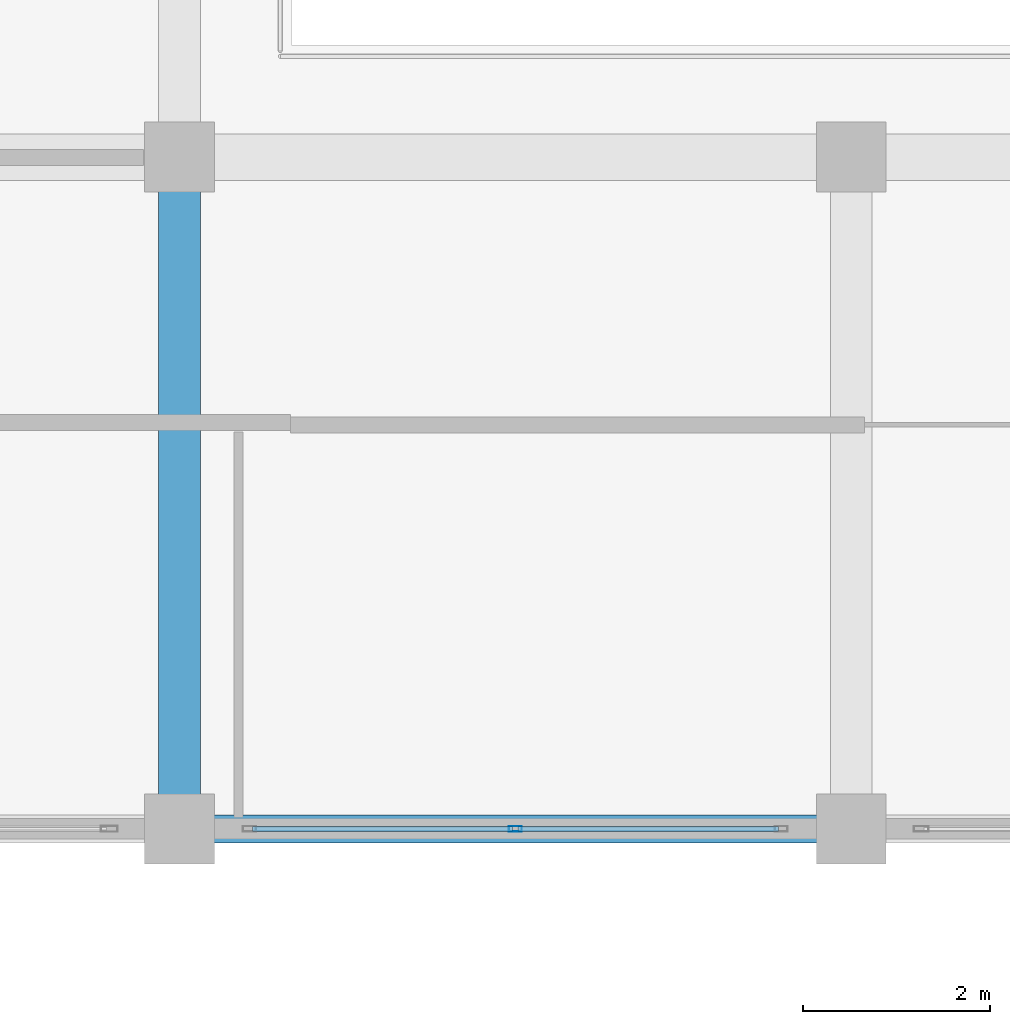
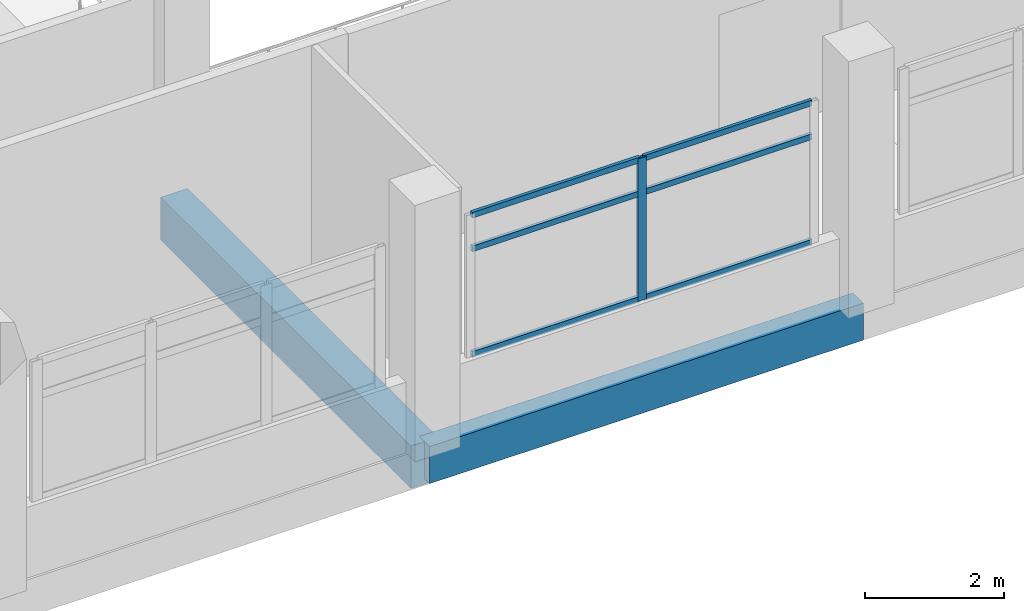
# One storey, part 10 of 141: 7 members, 2 beams, 1 element without a shape of its own.
"""IFC4 building model written with IfcOpenShell, lengths in metres."""

from ifc_helpers import new_model, si_unit, direction, frame, origin, origin_2d, place, context, subcontext, project, spatial, rectangle, hollow_rectangle, extrude, material, layer, layer_set, material_profile, profile_set, type_object, element, aggregate, save


model = new_model("IFC4")

# Units and contexts
model_context = context("Model", 3, precision=1e-05, world=origin(), true_north=direction((0.0, 1.0)))
body_context = subcontext(model_context, "Body", "Model", "MODEL_VIEW")
ifc_project = project(units=[si_unit("LENGTHUNIT", "METRE"), si_unit("AREAUNIT", "SQUARE_METRE"), si_unit("VOLUMEUNIT", "CUBIC_METRE"), si_unit("PLANEANGLEUNIT", "RADIAN"), si_unit("MASSUNIT", "GRAM", prefix="KILO")], contexts=[model_context])

# Site, building, storey
site_placement = place(None, origin())
site = spatial("IfcSite", under=ifc_project, at=site_placement, CompositionType="ELEMENT")
building_placement = place(site_placement, origin())
building = spatial("IfcBuilding", under=site, at=building_placement, Name="Seraya Terrace Polytechnic", CompositionType="ELEMENT")
storey_placement = place(building_placement, frame((0.0, 0.0, 14.39990234375)))
storey = spatial("IfcBuildingStorey", under=building, at=storey_placement, Name="L03", CompositionType="ELEMENT", Elevation=14.39990234375)

# Beam
ifc_material_1 = material(Name="Concrete C40/50", Category="concrete")
ifc_material_profile_1 = material_profile(ifc_material_1, rectangle(XDim=0.449951171875, YDim=0.75, at=origin_2d()), Name="RC 450x750")
ifc_profile_set_1 = profile_set([ifc_material_profile_1], Name="Concrete C40/50")
beam_type_1 = type_object("IfcBeamType", Name="BM-08", PredefinedType="BEAM", material=ifc_profile_set_1)
beam_1_placement = place(storey_placement, frame((57.60009765625, 0.0, -0.375), z_axis=(0.0, 1.0, 0.0), x_axis=(-1.0, 0.0, 0.0)))
element("IfcBeam", 1, at=beam_1_placement, inside=storey, type_object=beam_type_1, Name="Beam BM-08 L03 Y (57.6, 0.0..7.2)", PredefinedType="BEAM", context=body_context, shape_type="SweptSolid", body=[
    extrude(rectangle(XDim=0.449951171875, YDim=0.75, at=origin_2d()), origin(), (0.0, 0.0, 1.0), 7.199951171875),
])

# Curtain wall, members
ifc_material_2 = material(Name="Anodised aluminium EN AW-6063 T6", Category="aluminium")
ifc_layer = layer(ifc_material_2, 0.179931640625, Name="CW-33")
ifc_layer_set = layer_set([ifc_layer], Name="Anodised aluminium EN AW-6063 T6")
curtain_wall_type = type_object("IfcCurtainWallType", Name="CW-33", PredefinedType="NOTDEFINED", material=ifc_layer_set)
curtain_wall_placement = place(storey_placement, origin())
curtain_wall = element("IfcCurtainWall", 2, at=curtain_wall_placement, inside=storey, type_object=curtain_wall_type, Name="Unitised curtain wall CW-33 (CW-L03-105)", PredefinedType="NOTDEFINED")
ifc_material_profile_2 = material_profile(ifc_material_2, hollow_rectangle(XDim=0.06005859375, YDim=0.139892578125, WallThickness=0.00341796875, at=origin_2d()), Name="RHS 140x60x3.5")
ifc_profile_set_2 = profile_set([ifc_material_profile_2], Name="Anodised aluminium EN AW-6063 T6")
member_type_1 = type_object("IfcMemberType", Name="CWM-03", PredefinedType="MULLION", material=ifc_profile_set_2)
member_1_placement = place(storey_placement, frame((61.199951171875, 0.0, 1.239990234375), z_axis=(0.0, 0.0, 1.0), x_axis=(0.0, -1.0, 0.0)))
member_1 = element("IfcMember", 3, at=member_1_placement, type_object=member_type_1, Name="CW-33 mullion 2", PredefinedType="MULLION", context=body_context, shape_type="SweptSolid", body=[
    extrude(hollow_rectangle(XDim=0.06005859375, YDim=0.139892578125, WallThickness=0.00341796875, at=origin_2d()), origin(), (0.0, 0.0, 1.0), 2.5),
])
ifc_material_profile_3 = material_profile(ifc_material_2, hollow_rectangle(XDim=0.054931640625, YDim=0.10009765625, WallThickness=0.0029296875, at=origin_2d()), Name="RHS 100x55x3.0")
ifc_profile_set_3 = profile_set([ifc_material_profile_3], Name="Anodised aluminium EN AW-6063 T6")
member_type_2 = type_object("IfcMemberType", Name="CWT-03", PredefinedType="USERDEFINED", material=ifc_profile_set_3)
member_2_placement = place(storey_placement, frame((64.02001953125, 0.0, 1.267578125), z_axis=(-1.0, 0.0, 0.0), x_axis=(0.0, -1.0, 0.0)))
member_2 = element("IfcMember", 4, at=member_2_placement, type_object=member_type_2, Name="CW-33 transom 1.1", ObjectType="TRANSOM", PredefinedType="USERDEFINED", context=body_context, shape_type="SweptSolid", body=[
    extrude(hollow_rectangle(XDim=0.054931640625, YDim=0.10009765625, WallThickness=0.0029296875, at=origin_2d()), origin(), (0.0, 0.0, 1.0), 2.7900390625),
])
member_3_placement = place(storey_placement, frame((64.02001953125, 0.0, 3.1201171875), z_axis=(-1.0, 0.0, 0.0), x_axis=(0.0, -1.0, 0.0)))
member_3 = element("IfcMember", 5, at=member_3_placement, type_object=member_type_2, Name="CW-33 transom 1.2", ObjectType="TRANSOM", PredefinedType="USERDEFINED", context=body_context, shape_type="SweptSolid", body=[
    extrude(hollow_rectangle(XDim=0.054931640625, YDim=0.10009765625, WallThickness=0.0029296875, at=origin_2d()), origin(), (0.0, 0.0, 1.0), 2.7900390625),
])
member_4_placement = place(storey_placement, frame((64.02001953125, 0.0, 3.712646484375), z_axis=(-1.0, 0.0, 0.0), x_axis=(0.0, -1.0, 0.0)))
member_4 = element("IfcMember", 6, at=member_4_placement, type_object=member_type_2, Name="CW-33 transom 1.3", ObjectType="TRANSOM", PredefinedType="USERDEFINED", context=body_context, shape_type="SweptSolid", body=[
    extrude(hollow_rectangle(XDim=0.054931640625, YDim=0.10009765625, WallThickness=0.0029296875, at=origin_2d()), origin(), (0.0, 0.0, 1.0), 2.7900390625),
])
member_5_placement = place(storey_placement, frame((61.169921875, 0.0, 1.267578125), z_axis=(-1.0, 0.0, 0.0), x_axis=(0.0, -1.0, 0.0)))
member_5 = element("IfcMember", 7, at=member_5_placement, type_object=member_type_2, Name="CW-33 transom 2.1", ObjectType="TRANSOM", PredefinedType="USERDEFINED", context=body_context, shape_type="SweptSolid", body=[
    extrude(hollow_rectangle(XDim=0.054931640625, YDim=0.10009765625, WallThickness=0.0029296875, at=origin_2d()), origin(), (0.0, 0.0, 1.0), 2.7900390625),
])
member_6_placement = place(storey_placement, frame((61.169921875, 0.0, 3.1201171875), z_axis=(-1.0, 0.0, 0.0), x_axis=(0.0, -1.0, 0.0)))
member_6 = element("IfcMember", 8, at=member_6_placement, type_object=member_type_2, Name="CW-33 transom 2.2", ObjectType="TRANSOM", PredefinedType="USERDEFINED", context=body_context, shape_type="SweptSolid", body=[
    extrude(hollow_rectangle(XDim=0.054931640625, YDim=0.10009765625, WallThickness=0.0029296875, at=origin_2d()), origin(), (0.0, 0.0, 1.0), 2.7900390625),
])
member_7_placement = place(storey_placement, frame((61.169921875, 0.0, 3.712646484375), z_axis=(-1.0, 0.0, 0.0), x_axis=(0.0, -1.0, 0.0)))
member_7 = element("IfcMember", 9, at=member_7_placement, type_object=member_type_2, Name="CW-33 transom 2.3", ObjectType="TRANSOM", PredefinedType="USERDEFINED", context=body_context, shape_type="SweptSolid", body=[
    extrude(hollow_rectangle(XDim=0.054931640625, YDim=0.10009765625, WallThickness=0.0029296875, at=origin_2d()), origin(), (0.0, 0.0, 1.0), 2.7900390625),
])
aggregate(curtain_wall, [member_1, member_2, member_3, member_4, member_5, member_6, member_7])

# Beam
ifc_material_profile_4 = material_profile(ifc_material_1, rectangle(XDim=0.300048828125, YDim=0.64990234375, at=origin_2d()), Name="RC 300x650")
ifc_profile_set_4 = profile_set([ifc_material_profile_4], Name="Concrete C40/50")
beam_type_2 = type_object("IfcBeamType", Name="SP-01", PredefinedType="SPANDREL", material=ifc_profile_set_4)
beam_2_placement = place(storey_placement, frame((57.60009765625, 0.0, -0.324951171875), z_axis=(1.0, 0.0, 0.0), x_axis=(0.0, 1.0, 0.0)))
element("IfcBeam", 10, at=beam_2_placement, inside=storey, type_object=beam_type_2, Name="Beam SP-01 L03 X (57.6..64.8, 0.0)", PredefinedType="SPANDREL", context=body_context, shape_type="SweptSolid", body=[
    extrude(rectangle(XDim=0.300048828125, YDim=0.64990234375, at=origin_2d()), origin(), (0.0, 0.0, 1.0), 7.199951171875),
])

save(model, "model.ifc")
